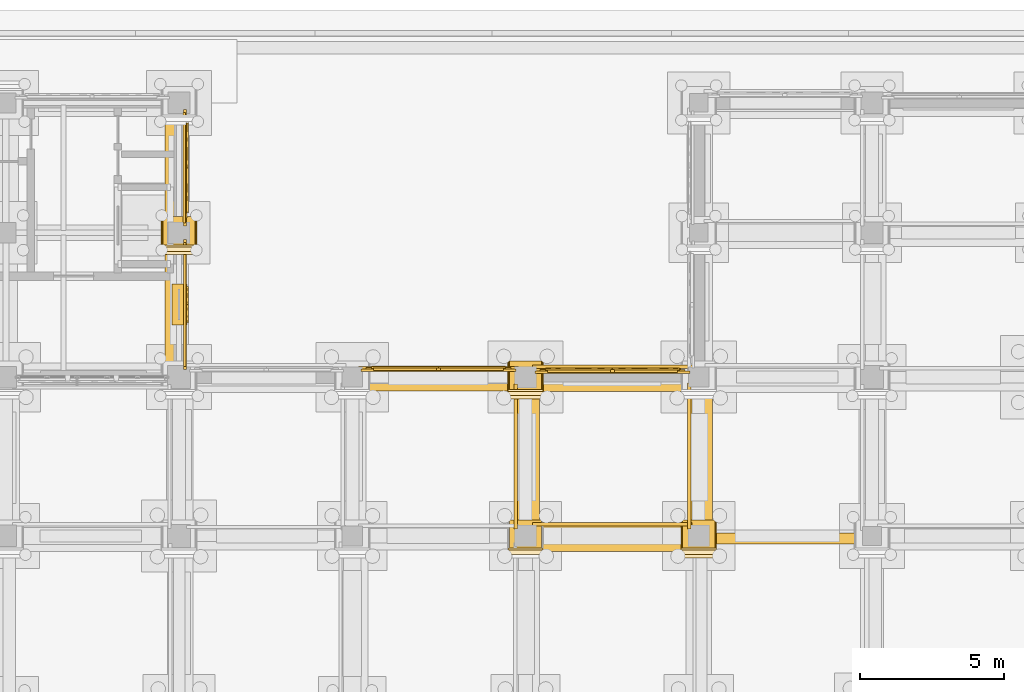
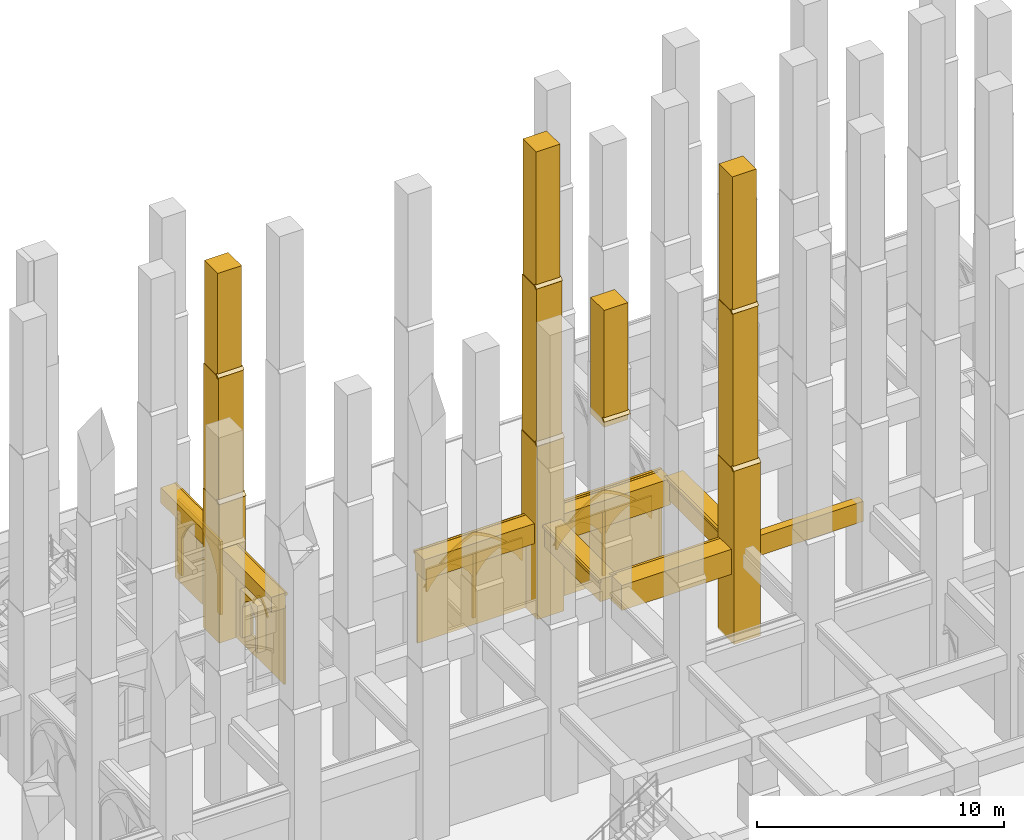
# One storey, part 95 of 135: 50 coverings.
"""IFC4 building model written with IfcOpenShell, lengths in metres."""

from ifc_helpers import new_model, si_unit, direction, frame, origin, origin_2d, place, context, subcontext, project, spatial, polyline, rectangle, outline, extrude, material, type_object, element, save


model = new_model("IFC4")

# Units and contexts
model_context = context("Model", 3, precision=1e-05, world=origin(), true_north=direction((0.0, 1.0)))
body_context = subcontext(model_context, "Body", "Model", "MODEL_VIEW")
ifc_project = project(units=[si_unit("LENGTHUNIT", "METRE"), si_unit("AREAUNIT", "SQUARE_METRE"), si_unit("VOLUMEUNIT", "CUBIC_METRE"), si_unit("PLANEANGLEUNIT", "RADIAN"), si_unit("MASSUNIT", "GRAM", prefix="KILO")], contexts=[model_context])

# Site, building, storey
site_placement = place(None, origin())
site = spatial("IfcSite", under=ifc_project, at=site_placement, CompositionType="ELEMENT")
building_placement = place(site_placement, origin())
building = spatial("IfcBuilding", under=site, at=building_placement, Name="Cumevento Cable Car Station", CompositionType="ELEMENT")
storey_placement = place(building_placement, origin())
storey = spatial("IfcBuildingStorey", under=building, at=storey_placement, Name="L01", CompositionType="ELEMENT", Elevation=0.0)

# Coverings
ifc_material = material(Name="Gnaisse Facoidal Stone Ashlar 85 MPa", Category="masonry")
covering_type = type_object("IfcCoveringType", Name="Gnaisse Ashlar Cladding CV-CL01", PredefinedType="CLADDING", material=ifc_material)
covering_1_placement = place(storey_placement, frame((34.0, 61.409912109375, -0.06005859375), z_axis=(0.0, 0.0, 1.0), x_axis=(1.0, 0.0, 0.0)))
element("IfcCovering", 1, at=covering_1_placement, inside=storey, type_object=covering_type, Name="Stepped Gothic Stone Buttress Tier 1 bt:34.0:61.5", PredefinedType="CLADDING", context=body_context, shape_type="SweptSolid", body=[
    extrude(rectangle(XDim=1.239990234375, YDim=1.300048828125, at=origin_2d()), origin(), (0.0, 0.0, 1.0), 6.885498046875),
])
covering_2_placement = place(storey_placement, frame((33.360107421875, 60.739990234375, 6.8056640625), z_axis=(0.0, -0.711135781079, 0.703054692658), x_axis=(1.0, 0.0, 0.0)))
element("IfcCovering", 2, at=covering_2_placement, inside=storey, type_object=covering_type, Name="Gothic Buttress Sloped Stone Weathering 1 bt:34.0:61.5", PredefinedType="CLADDING", context=body_context, shape_type="SweptSolid", body=[
    extrude(outline(polyline([(0.0, 0.0), (1.27978515625, 0.0), (1.27978515625, 0.24169083397703695), (0.0, 0.24169083397703695), (0.0, 0.0)])), origin(), (0.0, 0.0, -1.0), 0.090087890625),
])
covering_3_placement = place(storey_placement, frame((34.0, 61.469970703125, 6.46337890625), z_axis=(0.0, 0.0, 1.0), x_axis=(1.0, 0.0, 0.0)))
element("IfcCovering", 3, at=covering_3_placement, inside=storey, type_object=covering_type, Name="Stepped Gothic Stone Buttress Tier 2 bt:34.0:61.5", PredefinedType="CLADDING", context=body_context, shape_type="SweptSolid", body=[
    extrude(rectangle(XDim=1.179931640625, YDim=1.179931640625, at=origin_2d()), origin(), (0.0, 0.0, 1.0), 6.523193359375),
])
covering_4_placement = place(storey_placement, frame((33.389892578125, 60.860107421875, 12.96630859375), z_axis=(0.0, -0.714474823669, 0.699661151089), x_axis=(1.0, 0.0, 0.0)))
element("IfcCovering", 4, at=covering_4_placement, inside=storey, type_object=covering_type, Name="Gothic Buttress Sloped Stone Weathering 2 bt:34.0:61.5", PredefinedType="CLADDING", context=body_context, shape_type="SweptSolid", body=[
    extrude(outline(polyline([(0.0, 0.0), (1.22021484375, 0.0), (1.22021484375, 0.21424991728737655), (0.0, 0.21424991728737655), (0.0, 0.0)])), origin(), (0.0, 0.0, -1.0), 0.090087890625),
])
covering_5_placement = place(storey_placement, frame((34.0, 61.52001953125, 12.6240234375), z_axis=(0.0, 0.0, 1.0), x_axis=(1.0, 0.0, 0.0)))
element("IfcCovering", 5, at=covering_5_placement, inside=storey, type_object=covering_type, Name="Stepped Gothic Stone Buttress Tier 3 bt:34.0:61.5", PredefinedType="CLADDING", context=body_context, shape_type="SweptSolid", body=[
    extrude(rectangle(XDim=1.1201171875, YDim=1.080078125, at=origin_2d()), origin(), (0.0, 0.0, 1.0), 5.43603515625),
])
covering_6_placement = place(storey_placement, frame((45.389892578125, 50.360107421875, 12.96630859375), z_axis=(0.0, -0.714474823669, 0.699661151089), x_axis=(1.0, 0.0, 0.0)))
element("IfcCovering", 6, at=covering_6_placement, inside=storey, type_object=covering_type, Name="Gothic Buttress Sloped Stone Weathering 2 bt:46.0:51.0", PredefinedType="CLADDING", context=body_context, shape_type="SweptSolid", body=[
    extrude(outline(polyline([(0.0, 0.0), (1.22021484375, 0.0), (1.22021484375, 0.21424991728737655), (0.0, 0.21424991728737655), (0.0, 0.0)])), origin(), (0.0, 0.0, -1.0), 0.090087890625),
])
covering_7_placement = place(storey_placement, frame((46.0, 51.02001953125, 12.6240234375), z_axis=(0.0, 0.0, 1.0), x_axis=(1.0, 0.0, 0.0)))
element("IfcCovering", 7, at=covering_7_placement, inside=storey, type_object=covering_type, Name="Stepped Gothic Stone Buttress Tier 3 bt:46.0:51.0", PredefinedType="CLADDING", context=body_context, shape_type="SweptSolid", body=[
    extrude(rectangle(XDim=1.1201171875, YDim=1.080078125, at=origin_2d()), origin(), (0.0, 0.0, 1.0), 5.77587890625),
])
covering_8_placement = place(storey_placement, frame((46.0, 56.409912109375, -0.06005859375), z_axis=(0.0, 0.0, 1.0), x_axis=(1.0, 0.0, 0.0)))
element("IfcCovering", 8, at=covering_8_placement, inside=storey, type_object=covering_type, Name="Stepped Gothic Stone Buttress Tier 1 bt:46.0:56.5", PredefinedType="CLADDING", context=body_context, shape_type="SweptSolid", body=[
    extrude(rectangle(XDim=1.239990234375, YDim=1.300048828125, at=origin_2d()), origin(), (0.0, 0.0, 1.0), 8.595703125),
])
covering_9_placement = place(storey_placement, frame((45.360107421875, 55.739990234375, 8.515625), z_axis=(0.0, -0.711135781079, 0.703054692658), x_axis=(1.0, 0.0, 0.0)))
element("IfcCovering", 9, at=covering_9_placement, inside=storey, type_object=covering_type, Name="Gothic Buttress Sloped Stone Weathering 1 bt:46.0:56.5", PredefinedType="CLADDING", context=body_context, shape_type="SweptSolid", body=[
    extrude(outline(polyline([(0.0, 0.0), (1.27978515625, 0.0), (1.27978515625, 0.24169083397703695), (0.0, 0.24169083397703695), (0.0, 0.0)])), origin(), (0.0, 0.0, -1.0), 0.090087890625),
])
covering_10_placement = place(storey_placement, frame((46.0, 56.469970703125, 8.0830078125), z_axis=(0.0, 0.0, 1.0), x_axis=(1.0, 0.0, 0.0)))
element("IfcCovering", 10, at=covering_10_placement, inside=storey, type_object=covering_type, Name="Stepped Gothic Stone Buttress Tier 2 bt:46.0:56.5", PredefinedType="CLADDING", context=body_context, shape_type="SweptSolid", body=[
    extrude(rectangle(XDim=1.179931640625, YDim=1.179931640625, at=origin_2d()), origin(), (0.0, 0.0, 1.0), 8.143310546875),
])
covering_11_placement = place(storey_placement, frame((45.389892578125, 55.860107421875, 16.206298828125), z_axis=(0.0, -0.714474823669, 0.699661151089), x_axis=(1.0, 0.0, 0.0)))
element("IfcCovering", 11, at=covering_11_placement, inside=storey, type_object=covering_type, Name="Gothic Buttress Sloped Stone Weathering 2 bt:46.0:56.5", PredefinedType="CLADDING", context=body_context, shape_type="SweptSolid", body=[
    extrude(outline(polyline([(0.0, 0.0), (1.22021484375, 0.0), (1.22021484375, 0.21424991728737655), (0.0, 0.21424991728737655), (0.0, 0.0)])), origin(), (0.0, 0.0, -1.0), 0.090087890625),
])
covering_12_placement = place(storey_placement, frame((46.0, 56.52001953125, 15.77392578125), z_axis=(0.0, 0.0, 1.0), x_axis=(1.0, 0.0, 0.0)))
element("IfcCovering", 12, at=covering_12_placement, inside=storey, type_object=covering_type, Name="Stepped Gothic Stone Buttress Tier 3 bt:46.0:56.5", PredefinedType="CLADDING", context=body_context, shape_type="SweptSolid", body=[
    extrude(rectangle(XDim=1.1201171875, YDim=1.080078125, at=origin_2d()), origin(), (0.0, 0.0, 1.0), 7.1259765625),
])
covering_13_placement = place(storey_placement, frame((52.0, 50.909912109375, -0.06005859375), z_axis=(0.0, 0.0, 1.0), x_axis=(1.0, 0.0, 0.0)))
element("IfcCovering", 13, at=covering_13_placement, inside=storey, type_object=covering_type, Name="Stepped Gothic Stone Buttress Tier 1 bt:52.0:51.0", PredefinedType="CLADDING", context=body_context, shape_type="SweptSolid", body=[
    extrude(rectangle(XDim=1.239990234375, YDim=1.300048828125, at=origin_2d()), origin(), (0.0, 0.0, 1.0), 8.595703125),
])
covering_14_placement = place(storey_placement, frame((51.360107421875, 50.239990234375, 8.515625), z_axis=(0.0, -0.711135781079, 0.703054692658), x_axis=(1.0, 0.0, 0.0)))
element("IfcCovering", 14, at=covering_14_placement, inside=storey, type_object=covering_type, Name="Gothic Buttress Sloped Stone Weathering 1 bt:52.0:51.0", PredefinedType="CLADDING", context=body_context, shape_type="SweptSolid", body=[
    extrude(outline(polyline([(0.0, 0.0), (1.27978515625, 0.0), (1.27978515625, 0.24169083397703695), (0.0, 0.24169083397703695), (0.0, 0.0)])), origin(), (0.0, 0.0, -1.0), 0.090087890625),
])
covering_15_placement = place(storey_placement, frame((52.0, 50.969970703125, 8.0830078125), z_axis=(0.0, 0.0, 1.0), x_axis=(1.0, 0.0, 0.0)))
element("IfcCovering", 15, at=covering_15_placement, inside=storey, type_object=covering_type, Name="Stepped Gothic Stone Buttress Tier 2 bt:52.0:51.0", PredefinedType="CLADDING", context=body_context, shape_type="SweptSolid", body=[
    extrude(rectangle(XDim=1.179931640625, YDim=1.179931640625, at=origin_2d()), origin(), (0.0, 0.0, 1.0), 8.143310546875),
])
covering_16_placement = place(storey_placement, frame((51.389892578125, 50.360107421875, 16.206298828125), z_axis=(0.0, -0.714474823669, 0.699661151089), x_axis=(1.0, 0.0, 0.0)))
element("IfcCovering", 16, at=covering_16_placement, inside=storey, type_object=covering_type, Name="Gothic Buttress Sloped Stone Weathering 2 bt:52.0:51.0", PredefinedType="CLADDING", context=body_context, shape_type="SweptSolid", body=[
    extrude(outline(polyline([(0.0, 0.0), (1.22021484375, 0.0), (1.22021484375, 0.21424991728737655), (0.0, 0.21424991728737655), (0.0, 0.0)])), origin(), (0.0, 0.0, -1.0), 0.090087890625),
])
covering_17_placement = place(storey_placement, frame((52.0, 51.02001953125, 15.77392578125), z_axis=(0.0, 0.0, 1.0), x_axis=(1.0, 0.0, 0.0)))
element("IfcCovering", 17, at=covering_17_placement, inside=storey, type_object=covering_type, Name="Stepped Gothic Stone Buttress Tier 3 bt:52.0:51.0", PredefinedType="CLADDING", context=body_context, shape_type="SweptSolid", body=[
    extrude(rectangle(XDim=1.1201171875, YDim=1.080078125, at=origin_2d()), origin(), (0.0, 0.0, 1.0), 7.1259765625),
])
covering_18_placement = place(storey_placement, frame((49.0, 50.919921875, 3.2900390625), z_axis=(0.0, 0.0, 1.0), x_axis=(1.0, 0.0, 0.0)))
element("IfcCovering", 18, at=covering_18_placement, inside=storey, type_object=covering_type, Name="Gothic Stone Spandrel Stringcourse sc:0085", PredefinedType="CLADDING", context=body_context, shape_type="SweptSolid", body=[
    extrude(rectangle(XDim=5.489990234375, YDim=0.919921875, at=origin_2d()), origin(), (0.0, 0.0, 1.0), 1.239990234375),
])
covering_19_placement = place(storey_placement, frame((49.0, 51.407470703125, 4.400146484375), z_axis=(0.0, 0.0, 1.0), x_axis=(1.0, 0.0, 0.0)))
element("IfcCovering", 19, at=covering_19_placement, inside=storey, type_object=covering_type, Name="Gothic Cornice Dripstone Lip sc:0085", PredefinedType="CLADDING", context=body_context, shape_type="SweptSolid", body=[
    extrude(rectangle(XDim=5.530029296875, YDim=0.114990234375, at=origin_2d()), origin(), (0.0, 0.0, 1.0), 0.1298828125),
])
covering_20_placement = place(storey_placement, frame((42.987548828125, 56.39990234375, 3.5400390625), z_axis=(0.0, 0.0, 1.0), x_axis=(1.0, 0.0, 0.0)))
element("IfcCovering", 20, at=covering_20_placement, inside=storey, type_object=covering_type, Name="Gothic Stone Spandrel Stringcourse sc:0089", PredefinedType="CLADDING", context=body_context, shape_type="SweptSolid", body=[
    extrude(rectangle(XDim=5.514892578125, YDim=0.760009765625, at=origin_2d()), origin(), (0.0, 0.0, 1.0), 0.989990234375),
])
covering_21_placement = place(storey_placement, frame((42.987548828125, 56.8076171875, 4.400146484375), z_axis=(0.0, 0.0, 1.0), x_axis=(1.0, 0.0, 0.0)))
element("IfcCovering", 21, at=covering_21_placement, inside=storey, type_object=covering_type, Name="Gothic Cornice Dripstone Lip sc:0089", PredefinedType="CLADDING", context=body_context, shape_type="SweptSolid", body=[
    extrude(rectangle(XDim=5.554931640625, YDim=0.114990234375, at=origin_2d()), origin(), (0.0, 0.0, 1.0), 0.1298828125),
])
covering_22_placement = place(storey_placement, frame((49.012451171875, 56.419921875, 3.239990234375), z_axis=(0.0, 0.0, 1.0), x_axis=(1.0, 0.0, 0.0)))
element("IfcCovering", 22, at=covering_22_placement, inside=storey, type_object=covering_type, Name="Gothic Stone Spandrel Stringcourse sc:0090", PredefinedType="CLADDING", context=body_context, shape_type="SweptSolid", body=[
    extrude(rectangle(XDim=5.514892578125, YDim=0.820068359375, at=origin_2d()), origin(), (0.0, 0.0, 1.0), 1.2900390625),
])
covering_23_placement = place(storey_placement, frame((49.012451171875, 56.857421875, 4.400146484375), z_axis=(0.0, 0.0, 1.0), x_axis=(1.0, 0.0, 0.0)))
element("IfcCovering", 23, at=covering_23_placement, inside=storey, type_object=covering_type, Name="Gothic Cornice Dripstone Lip sc:0090", PredefinedType="CLADDING", context=body_context, shape_type="SweptSolid", body=[
    extrude(rectangle(XDim=5.554931640625, YDim=0.114990234375, at=origin_2d()), origin(), (0.0, 0.0, 1.0), 0.1298828125),
])
covering_24_placement = place(storey_placement, frame((46.08740234375, 53.75, 3.43994140625), z_axis=(0.0, 0.0, 1.0), x_axis=(0.0, 1.0, 0.0)))
element("IfcCovering", 24, at=covering_24_placement, inside=storey, type_object=covering_type, Name="Gothic Stone Spandrel Stringcourse sc:0100", PredefinedType="CLADDING", context=body_context, shape_type="SweptSolid", body=[
    extrude(rectangle(XDim=4.989990234375, YDim=0.784912109375, at=origin_2d()), origin(), (0.0, 0.0, 1.0), 1.090087890625),
])
covering_25_placement = place(storey_placement, frame((45.66748046875, 53.75, 4.400146484375), z_axis=(0.0, 0.0, 1.0), x_axis=(0.0, 1.0, 0.0)))
element("IfcCovering", 25, at=covering_25_placement, inside=storey, type_object=covering_type, Name="Gothic Cornice Dripstone Lip sc:0100", PredefinedType="CLADDING", context=body_context, shape_type="SweptSolid", body=[
    extrude(rectangle(XDim=5.030029296875, YDim=0.114990234375, at=origin_2d()), origin(), (0.0, 0.0, 1.0), 0.1298828125),
])
covering_26_placement = place(storey_placement, frame((52.08740234375, 53.762451171875, 3.43994140625), z_axis=(0.0, 0.0, 1.0), x_axis=(0.0, 1.0, 0.0)))
element("IfcCovering", 26, at=covering_26_placement, inside=storey, type_object=covering_type, Name="Gothic Stone Spandrel Stringcourse sc:0102", PredefinedType="CLADDING", context=body_context, shape_type="SweptSolid", body=[
    extrude(rectangle(XDim=5.014892578125, YDim=0.784912109375, at=origin_2d()), origin(), (0.0, 0.0, 1.0), 1.090087890625),
])
covering_27_placement = place(storey_placement, frame((51.66748046875, 53.762451171875, 4.400146484375), z_axis=(0.0, 0.0, 1.0), x_axis=(0.0, 1.0, 0.0)))
element("IfcCovering", 27, at=covering_27_placement, inside=storey, type_object=covering_type, Name="Gothic Cornice Dripstone Lip sc:0102", PredefinedType="CLADDING", context=body_context, shape_type="SweptSolid", body=[
    extrude(rectangle(XDim=5.054931640625, YDim=0.114990234375, at=origin_2d()), origin(), (0.0, 0.0, 1.0), 0.1298828125),
])
covering_28_placement = place(storey_placement, frame((33.85009765625, 59.012451171875, 3.821044921875), z_axis=(0.0, 0.0, 1.0), x_axis=(0.0, -1.0, 0.0)))
element("IfcCovering", 28, at=covering_28_placement, inside=storey, type_object=covering_type, Name="Gothic Stone Spandrel Stringcourse sc:0107", PredefinedType="CLADDING", context=body_context, shape_type="SweptSolid", body=[
    extrude(rectangle(XDim=4.465087890625, YDim=0.659912109375, at=origin_2d()), origin(), (0.0, 0.0, 1.0), 0.7470703125),
])
covering_29_placement = place(storey_placement, frame((34.20751953125, 59.012451171875, 4.43798828125), z_axis=(0.0, 0.0, 1.0), x_axis=(0.0, -1.0, 0.0)))
element("IfcCovering", 29, at=covering_29_placement, inside=storey, type_object=covering_type, Name="Gothic Cornice Dripstone Lip sc:0107", PredefinedType="CLADDING", context=body_context, shape_type="SweptSolid", body=[
    extrude(rectangle(XDim=4.5048828125, YDim=0.114990234375, at=origin_2d()), origin(), (0.0, 0.0, 1.0), 0.1298828125),
])
covering_30_placement = place(storey_placement, frame((33.85009765625, 63.75, 3.821044921875), z_axis=(0.0, 0.0, 1.0), x_axis=(0.0, -1.0, 0.0)))
element("IfcCovering", 30, at=covering_30_placement, inside=storey, type_object=covering_type, Name="Gothic Stone Spandrel Stringcourse sc:0108", PredefinedType="CLADDING", context=body_context, shape_type="SweptSolid", body=[
    extrude(rectangle(XDim=3.989990234375, YDim=0.659912109375, at=origin_2d()), origin(), (0.0, 0.0, 1.0), 0.7470703125),
])
covering_31_placement = place(storey_placement, frame((34.20751953125, 63.75, 4.43798828125), z_axis=(0.0, 0.0, 1.0), x_axis=(0.0, -1.0, 0.0)))
element("IfcCovering", 31, at=covering_31_placement, inside=storey, type_object=covering_type, Name="Gothic Cornice Dripstone Lip sc:0108", PredefinedType="CLADDING", context=body_context, shape_type="SweptSolid", body=[
    extrude(rectangle(XDim=4.030029296875, YDim=0.114990234375, at=origin_2d()), origin(), (0.0, 0.0, 1.0), 0.1298828125),
])
covering_32_placement = place(storey_placement, frame((55.02490234375, 50.909912109375, 3.5400390625), z_axis=(0.0, 0.0, 1.0), x_axis=(1.0, 0.0, 0.0)))
element("IfcCovering", 32, at=covering_32_placement, inside=storey, type_object=covering_type, Name="Gothic Stone Spandrel Stringcourse sc:0110", PredefinedType="CLADDING", context=body_context, shape_type="SweptSolid", body=[
    extrude(rectangle(XDim=5.360107421875, YDim=0.3798828125, at=origin_2d()), origin(), (0.0, 0.0, 1.0), 0.989990234375),
])
covering_33_placement = place(storey_placement, frame((40.35009765625, 56.5, 0.0), z_axis=(0.0, 0.0, 1.0), x_axis=(1.0, 0.0, 0.0)))
element("IfcCovering", 33, at=covering_33_placement, inside=storey, type_object=covering_type, Name="Exterior Gnaisse Stone Wall Ashlar #17", PredefinedType="CLADDING", context=body_context, shape_type="SweptSolid", body=[
    extrude(outline(polyline([(-0.0400390625, -0.02001953125), (5.31494140625, -0.02001953125), (5.31494140625, 4.52001953125), (-0.0400390625, 4.52001953125), (-0.0400390625, -0.02001953125)])), frame((0.0, 0.27490234375, 0.0), z_axis=(0.0, -1.0, 0.0), x_axis=(1.0, 0.0, 0.0)), (0.0, 0.0, 1.0), 0.0849609375),
])
placement_1 = place(storey_placement, frame((40.530029296875, 56.5, 0.300048828125), z_axis=(0.0, 0.0, 1.0), x_axis=(1.0, 0.0, 0.0)))
element("IfcCovering", 34, at=placement_1, inside=storey, type_object=covering_type, Name="Gothic Ogival Pointed-Arch Stone Spandrel blind_ogival:0017", PredefinedType="CLADDING", context=body_context, shape_type="SweptSolid", body=[
    extrude(outline(polyline([(-0.050048828125, 0.0), (-0.050048828125, 4.239990234375), (4.965087890625, 4.239990234375), (4.965087890625, 0.0), (4.655029296875, 0.0), (4.655029296875, 2.219970703125), (4.41748046875, 2.55712890625), (4.150390625, 2.87158203125), (3.856201171875, 3.16064453125), (3.537109375, 3.421875), (3.19580078125, 3.653564453125), (2.8349609375, 3.853515625), (2.45751953125, 4.02001953125), (2.080078125, 3.853515625), (1.71923828125, 3.653564453125), (1.3779296875, 3.421875), (1.058837890625, 3.16064453125), (0.7646484375, 2.87158203125), (0.49755859375, 2.55712890625), (0.260009765625, 2.219970703125), (0.260009765625, 0.0), (-0.050048828125, 0.0)])), frame((0.0, 0.330078125, 0.0), z_axis=(0.0, -1.0, 0.0), x_axis=(1.0, 0.0, 0.0)), (0.0, 0.0, 1.0), 0.110107421875),
])
covering_35_placement = place(storey_placement, frame((40.530029296875, 56.5, 2.52001953125), z_axis=(0.0, 0.0, 1.0), x_axis=(1.0, 0.0, 0.0)))
element("IfcCovering", 35, at=covering_35_placement, inside=storey, type_object=covering_type, Name="Gothic Pointed Archivolt Hood Moulding blind_ogival:0017", PredefinedType="CLADDING", context=body_context, shape_type="SweptSolid", body=[
    extrude(outline(polyline([(0.260009765625, 0.0), (0.49755859375, 0.337158203125), (0.7646484375, 0.651611328125), (1.058837890625, 0.940673828125), (1.3779296875, 1.201904296875), (1.71923828125, 1.43359375), (2.080078125, 1.633544921875), (2.45751953125, 1.800048828125), (2.8349609375, 1.633544921875), (3.19580078125, 1.43359375), (3.537109375, 1.201904296875), (3.856201171875, 0.940673828125), (4.150390625, 0.651611328125), (4.41748046875, 0.337158203125), (4.655029296875, 0.0), (4.77587890625, 0.0), (4.529052734375, 0.364501953125), (4.249755859375, 0.704833984375), (3.9404296875, 1.01806640625), (3.603515625, 1.3017578125), (3.241943359375, 1.552978515625), (2.85888671875, 1.770263671875), (2.45751953125, 1.951171875), (2.05615234375, 1.770263671875), (1.673095703125, 1.552978515625), (1.3115234375, 1.3017578125), (0.974609375, 1.01806640625), (0.665283203125, 0.704833984375), (0.385986328125, 0.364501953125), (0.138916015625, 0.0), (0.260009765625, 0.0)])), frame((0.0, 0.3720703125, 0.0), z_axis=(0.0, -1.0, 0.0), x_axis=(1.0, 0.0, 0.0)), (0.0, 0.0, 1.0), 0.06689453125),
])
element("IfcCovering", 36, at=placement_1, inside=storey, type_object=covering_type, Name="Gothic Bifora Stone Colonnette blind_ogival:0017 #1", PredefinedType="CLADDING", context=body_context, shape_type="SweptSolid", body=[
    extrude(outline(polyline([(2.382568359375, -0.02001953125), (2.532470703125, -0.02001953125), (2.532470703125, 3.156005859375), (2.382568359375, 3.156005859375), (2.382568359375, -0.02001953125)])), frame((0.0, 0.318115234375, 0.0), z_axis=(0.0, -1.0, 0.0), x_axis=(1.0, 0.0, 0.0)), (0.0, 0.0, 1.0), 0.094970703125),
])
for number, where, z_axis, x_axis, name in (
    (37, (40.760009765625, 56.5, 2.340087890625), (0.0, 0.0, 1.0), (1.0, 0.0, 0.0), "Gothic Ogival Pointed-Arch Stone Spandrel blind_ogival:0017:sub:0"),
    (38, (43.032470703125, 56.5, 2.340087890625), (0.0, 0.0, 1.0), (1.0, 0.0, 0.0), "Gothic Ogival Pointed-Arch Stone Spandrel blind_ogival:0017:sub:1"),
):
    element("IfcCovering", number, at=place(storey_placement, frame(where, z_axis=z_axis, x_axis=x_axis)), inside=storey, type_object=covering_type, Name=name, PredefinedType="CLADDING", context=body_context, shape_type="SweptSolid", body=[
        extrude(outline(polyline([(-0.02001953125, 0.0), (-0.02001953125, 1.115966796875), (2.202392578125, 1.115966796875), (2.202392578125, 0.0), (2.142578125, 0.0), (2.02001953125, 0.21337890625), (1.873291015625, 0.4111328125), (1.704833984375, 0.590576171875), (1.5166015625, 0.749267578125), (1.31103515625, 0.885009765625), (1.09130859375, 0.99609375), (0.87158203125, 0.885009765625), (0.666015625, 0.749267578125), (0.477783203125, 0.590576171875), (0.309326171875, 0.4111328125), (0.16259765625, 0.21337890625), (0.0400390625, 0.0), (-0.02001953125, 0.0)])), frame((0.0, 0.31396484375, 0.0), z_axis=(0.0, -1.0, 0.0), x_axis=(1.0, 0.0, 0.0)), (0.0, 0.0, 1.0), 0.090087890625),
    ])
covering_37_placement = place(storey_placement, frame((46.375, 56.5, 0.0), z_axis=(0.0, 0.0, 1.0), x_axis=(1.0, 0.0, 0.0)))
element("IfcCovering", 39, at=covering_37_placement, inside=storey, type_object=covering_type, Name="Exterior Gnaisse Stone Wall Ashlar #18", PredefinedType="CLADDING", context=body_context, shape_type="SweptSolid", body=[
    extrude(outline(polyline([(-0.0400390625, -0.02001953125), (5.31494140625, -0.02001953125), (5.31494140625, 4.52001953125), (-0.0400390625, 4.52001953125), (-0.0400390625, -0.02001953125)])), frame((0.0, 0.215087890625, 0.0), z_axis=(0.0, -1.0, 0.0), x_axis=(1.0, 0.0, 0.0)), (0.0, 0.0, 1.0), 0.0849609375),
])
placement_2 = place(storey_placement, frame((46.554931640625, 56.5, 0.300048828125), z_axis=(0.0, 0.0, 1.0), x_axis=(1.0, 0.0, 0.0)))
element("IfcCovering", 40, at=placement_2, inside=storey, type_object=covering_type, Name="Gothic Ogival Pointed-Arch Stone Spandrel blind_ogival:0018", PredefinedType="CLADDING", context=body_context, shape_type="SweptSolid", body=[
    extrude(outline(polyline([(-0.050048828125, 0.0), (-0.050048828125, 4.239990234375), (4.965087890625, 4.239990234375), (4.965087890625, 0.0), (4.655029296875, 0.0), (4.655029296875, 2.219970703125), (4.41748046875, 2.55712890625), (4.150390625, 2.87158203125), (3.856201171875, 3.16064453125), (3.537109375, 3.421875), (3.19580078125, 3.653564453125), (2.8349609375, 3.853515625), (2.45751953125, 4.02001953125), (2.080078125, 3.853515625), (1.71923828125, 3.653564453125), (1.3779296875, 3.421875), (1.058837890625, 3.16064453125), (0.7646484375, 2.87158203125), (0.49755859375, 2.55712890625), (0.260009765625, 2.219970703125), (0.260009765625, 0.0), (-0.050048828125, 0.0)])), frame((0.0, 0.27001953125, 0.0), z_axis=(0.0, -1.0, 0.0), x_axis=(1.0, 0.0, 0.0)), (0.0, 0.0, 1.0), 0.110107421875),
])
covering_39_placement = place(storey_placement, frame((46.554931640625, 56.5, 2.52001953125), z_axis=(0.0, 0.0, 1.0), x_axis=(1.0, 0.0, 0.0)))
element("IfcCovering", 41, at=covering_39_placement, inside=storey, type_object=covering_type, Name="Gothic Pointed Archivolt Hood Moulding blind_ogival:0018", PredefinedType="CLADDING", context=body_context, shape_type="SweptSolid", body=[
    extrude(outline(polyline([(0.260009765625, 0.0), (0.49755859375, 0.337158203125), (0.7646484375, 0.651611328125), (1.058837890625, 0.940673828125), (1.3779296875, 1.201904296875), (1.71923828125, 1.43359375), (2.080078125, 1.633544921875), (2.45751953125, 1.800048828125), (2.8349609375, 1.633544921875), (3.19580078125, 1.43359375), (3.537109375, 1.201904296875), (3.856201171875, 0.940673828125), (4.150390625, 0.651611328125), (4.41748046875, 0.337158203125), (4.655029296875, 0.0), (4.77587890625, 0.0), (4.529052734375, 0.364501953125), (4.249755859375, 0.704833984375), (3.9404296875, 1.01806640625), (3.603515625, 1.3017578125), (3.241943359375, 1.552978515625), (2.85888671875, 1.770263671875), (2.45751953125, 1.951171875), (2.05615234375, 1.770263671875), (1.673095703125, 1.552978515625), (1.3115234375, 1.3017578125), (0.974609375, 1.01806640625), (0.665283203125, 0.704833984375), (0.385986328125, 0.364501953125), (0.138916015625, 0.0), (0.260009765625, 0.0)])), frame((0.0, 0.31201171875, 0.0), z_axis=(0.0, -1.0, 0.0), x_axis=(1.0, 0.0, 0.0)), (0.0, 0.0, 1.0), 0.06689453125),
])
element("IfcCovering", 42, at=placement_2, inside=storey, type_object=covering_type, Name="Gothic Bifora Stone Colonnette blind_ogival:0018 #1", PredefinedType="CLADDING", context=body_context, shape_type="SweptSolid", body=[
    extrude(outline(polyline([(2.382568359375, -0.02001953125), (2.532470703125, -0.02001953125), (2.532470703125, 3.156005859375), (2.382568359375, 3.156005859375), (2.382568359375, -0.02001953125)])), frame((0.0, 0.258056640625, 0.0), z_axis=(0.0, -1.0, 0.0), x_axis=(1.0, 0.0, 0.0)), (0.0, 0.0, 1.0), 0.094970703125),
])
for number, where, z_axis, x_axis, name in (
    (43, (46.784912109375, 56.5, 2.340087890625), (0.0, 0.0, 1.0), (1.0, 0.0, 0.0), "Gothic Ogival Pointed-Arch Stone Spandrel blind_ogival:0018:sub:0"),
    (44, (49.0576171875, 56.5, 2.340087890625), (0.0, 0.0, 1.0), (1.0, 0.0, 0.0), "Gothic Ogival Pointed-Arch Stone Spandrel blind_ogival:0018:sub:1"),
):
    element("IfcCovering", number, at=place(storey_placement, frame(where, z_axis=z_axis, x_axis=x_axis)), inside=storey, type_object=covering_type, Name=name, PredefinedType="CLADDING", context=body_context, shape_type="SweptSolid", body=[
        extrude(outline(polyline([(-0.02001953125, 0.0), (-0.02001953125, 1.115966796875), (2.202392578125, 1.115966796875), (2.202392578125, 0.0), (2.142578125, 0.0), (2.02001953125, 0.21337890625), (1.873291015625, 0.4111328125), (1.704833984375, 0.590576171875), (1.5166015625, 0.749267578125), (1.31103515625, 0.885009765625), (1.09130859375, 0.99609375), (0.87158203125, 0.885009765625), (0.666015625, 0.749267578125), (0.477783203125, 0.590576171875), (0.309326171875, 0.4111328125), (0.16259765625, 0.21337890625), (0.0400390625, 0.0), (-0.02001953125, 0.0)])), frame((0.0, 0.25390625, 0.0), z_axis=(0.0, -1.0, 0.0), x_axis=(1.0, 0.0, 0.0)), (0.0, 0.0, 1.0), 0.090087890625),
    ])
covering_41_placement = place(storey_placement, frame((34.0, 61.125, 0.0), z_axis=(0.0, 0.0, 1.0), x_axis=(0.0, -1.0, 0.0)))
element("IfcCovering", 45, at=covering_41_placement, inside=storey, type_object=covering_type, Name="Exterior Gnaisse Stone Wall Ashlar #153", PredefinedType="CLADDING", context=body_context, shape_type="SweptSolid", body=[
    extrude(outline(polyline([(-0.0400390625, -0.02001953125), (4.264892578125, -0.02001953125), (4.264892578125, 3.90087890625), (-0.0400390625, 3.90087890625), (-0.0400390625, -0.02001953125)]), holes=[polyline([(1.597412109375, 0.860107421875), (2.62744140625, 0.860107421875), (2.62744140625, 2.889892578125), (1.597412109375, 2.889892578125), (1.597412109375, 0.860107421875)])]), frame((0.0, 0.2451171875, 0.0), z_axis=(0.0, -1.0, 0.0), x_axis=(1.0, 0.0, 0.0)), (0.0, 0.0, 1.0), 0.0849609375),
])
covering_42_placement = place(storey_placement, frame((34.0, 59.677490234375, 0.800048828125), z_axis=(0.0, 0.0, 1.0), x_axis=(0.0, -1.0, 0.0)))
element("IfcCovering", 46, at=covering_42_placement, inside=storey, type_object=covering_type, Name="Gothic Ogival Pointed-Arch Stone Spandrel op_ogival:0153:1", PredefinedType="CLADDING", context=body_context, shape_type="SweptSolid", body=[
    extrude(outline(polyline([(-0.0400390625, 0.0), (-0.0400390625, 2.320068359375), (1.3701171875, 2.320068359375), (1.3701171875, 0.0), (1.18994140625, 0.0), (1.18994140625, 1.52587890625), (1.1474609375, 1.63671875), (1.0927734375, 1.74169921875), (1.026611328125, 1.839599609375), (0.94970703125, 1.9296875), (0.863037109375, 2.010498046875), (0.767578125, 2.080810546875), (0.6650390625, 2.139892578125), (0.5625, 2.080810546875), (0.467041015625, 2.010498046875), (0.38037109375, 1.9296875), (0.303466796875, 1.839599609375), (0.2373046875, 1.74169921875), (0.1826171875, 1.63671875), (0.139892578125, 1.52587890625), (0.139892578125, 0.0), (-0.0400390625, 0.0)])), frame((0.0, 0.282958984375, 0.0), z_axis=(0.0, -1.0, 0.0), x_axis=(1.0, 0.0, 0.0)), (0.0, 0.0, 1.0), 0.52001953125),
])
covering_43_placement = place(storey_placement, frame((34.0, 59.677490234375, 2.325927734375), z_axis=(0.0, 0.0, 1.0), x_axis=(0.0, -1.0, 0.0)))
element("IfcCovering", 47, at=covering_43_placement, inside=storey, type_object=covering_type, Name="Gothic Pointed Archivolt Hood Moulding op_ogival:0153:1", PredefinedType="CLADDING", context=body_context, shape_type="SweptSolid", body=[
    extrude(outline(polyline([(0.139892578125, 0.0), (0.1826171875, 0.110595703125), (0.2373046875, 0.215576171875), (0.303466796875, 0.313720703125), (0.38037109375, 0.40380859375), (0.467041015625, 0.484375), (0.5625, 0.554931640625), (0.6650390625, 0.614013671875), (0.767578125, 0.554931640625), (0.863037109375, 0.484375), (0.94970703125, 0.40380859375), (1.026611328125, 0.313720703125), (1.0927734375, 0.215576171875), (1.1474609375, 0.110595703125), (1.18994140625, 0.0), (1.2890625, 0.0), (1.2392578125, 0.132568359375), (1.174560546875, 0.2587890625), (1.095947265625, 0.376708984375), (1.00439453125, 0.48486328125), (0.901123046875, 0.58203125), (0.78759765625, 0.66650390625), (0.6650390625, 0.73779296875), (0.54248046875, 0.66650390625), (0.428955078125, 0.58203125), (0.32568359375, 0.48486328125), (0.234130859375, 0.376708984375), (0.155517578125, 0.2587890625), (0.0908203125, 0.132568359375), (0.041015625, 0.0), (0.139892578125, 0.0)])), frame((0.0, 0.324951171875, 0.0), z_axis=(0.0, -1.0, 0.0), x_axis=(1.0, 0.0, 0.0)), (0.0, 0.0, 1.0), 0.06689453125),
])
covering_44_placement = place(storey_placement, frame((34.0, 65.625, 0.0), z_axis=(0.0, 0.0, 1.0), x_axis=(0.0, -1.0, 0.0)))
element("IfcCovering", 48, at=covering_44_placement, inside=storey, type_object=covering_type, Name="Exterior Gnaisse Stone Wall Ashlar #155", PredefinedType="CLADDING", context=body_context, shape_type="SweptSolid", body=[
    extrude(outline(polyline([(-0.0400390625, -0.02001953125), (3.7900390625, -0.02001953125), (3.7900390625, 3.90087890625), (-0.0400390625, 3.90087890625), (-0.0400390625, -0.02001953125)])), frame((0.0, 0.222412109375, 0.0), z_axis=(0.0, -1.0, 0.0), x_axis=(1.0, 0.0, 0.0)), (0.0, 0.0, 1.0), 0.0849609375),
])
covering_45_placement = place(storey_placement, frame((34.0, 65.445068359375, 0.300048828125), z_axis=(0.0, 0.0, 1.0), x_axis=(0.0, -1.0, 0.0)))
element("IfcCovering", 49, at=covering_45_placement, inside=storey, type_object=covering_type, Name="Gothic Ogival Pointed-Arch Stone Spandrel blind_ogival:0155", PredefinedType="CLADDING", context=body_context, shape_type="SweptSolid", body=[
    extrude(outline(polyline([(-0.050048828125, 0.0), (-0.050048828125, 3.62109375), (3.43994140625, 3.62109375), (3.43994140625, 0.0), (3.1298828125, 0.0), (3.1298828125, 1.873291015625), (3.00146484375, 2.151611328125), (2.84423828125, 2.414794921875), (2.659423828125, 2.658935546875), (2.44970703125, 2.88232421875), (2.217041015625, 3.081787109375), (1.964599609375, 3.255615234375), (1.695068359375, 3.40087890625), (1.42529296875, 3.255615234375), (1.1728515625, 3.081787109375), (0.940185546875, 2.88232421875), (0.73046875, 2.658935546875), (0.545654296875, 2.414794921875), (0.388427734375, 2.151611328125), (0.260009765625, 1.873291015625), (0.260009765625, 0.0), (-0.050048828125, 0.0)])), frame((0.0, 0.277587890625, 0.0), z_axis=(0.0, -1.0, 0.0), x_axis=(1.0, 0.0, 0.0)), (0.0, 0.0, 1.0), 0.110107421875),
])
covering_46_placement = place(storey_placement, frame((34.0, 65.445068359375, 2.17333984375), z_axis=(0.0, 0.0, 1.0), x_axis=(0.0, -1.0, 0.0)))
element("IfcCovering", 50, at=covering_46_placement, inside=storey, type_object=covering_type, Name="Gothic Pointed Archivolt Hood Moulding blind_ogival:0155", PredefinedType="CLADDING", context=body_context, shape_type="SweptSolid", body=[
    extrude(outline(polyline([(0.260009765625, 0.0), (0.388427734375, 0.2783203125), (0.545654296875, 0.541259765625), (0.73046875, 0.78564453125), (0.940185546875, 1.009033203125), (1.1728515625, 1.20849609375), (1.42529296875, 1.382080078125), (1.695068359375, 1.527587890625), (1.964599609375, 1.382080078125), (2.217041015625, 1.20849609375), (2.44970703125, 1.009033203125), (2.659423828125, 0.78564453125), (2.84423828125, 0.541259765625), (3.00146484375, 0.2783203125), (3.1298828125, 0.0), (3.2509765625, 0.0), (3.113525390625, 0.305419921875), (2.944091796875, 0.593994140625), (2.744140625, 0.86279296875), (2.5166015625, 1.108154296875), (2.263916015625, 1.327880859375), (1.989013671875, 1.518798828125), (1.695068359375, 1.678955078125), (1.40087890625, 1.518798828125), (1.1259765625, 1.327880859375), (0.873291015625, 1.108154296875), (0.645751953125, 0.86279296875), (0.44580078125, 0.593994140625), (0.2763671875, 0.305419921875), (0.138916015625, 0.0), (0.260009765625, 0.0)])), frame((0.0, 0.319580078125, 0.0), z_axis=(0.0, -1.0, 0.0), x_axis=(1.0, 0.0, 0.0)), (0.0, 0.0, 1.0), 0.06689453125),
])

save(model, "model.ifc")
